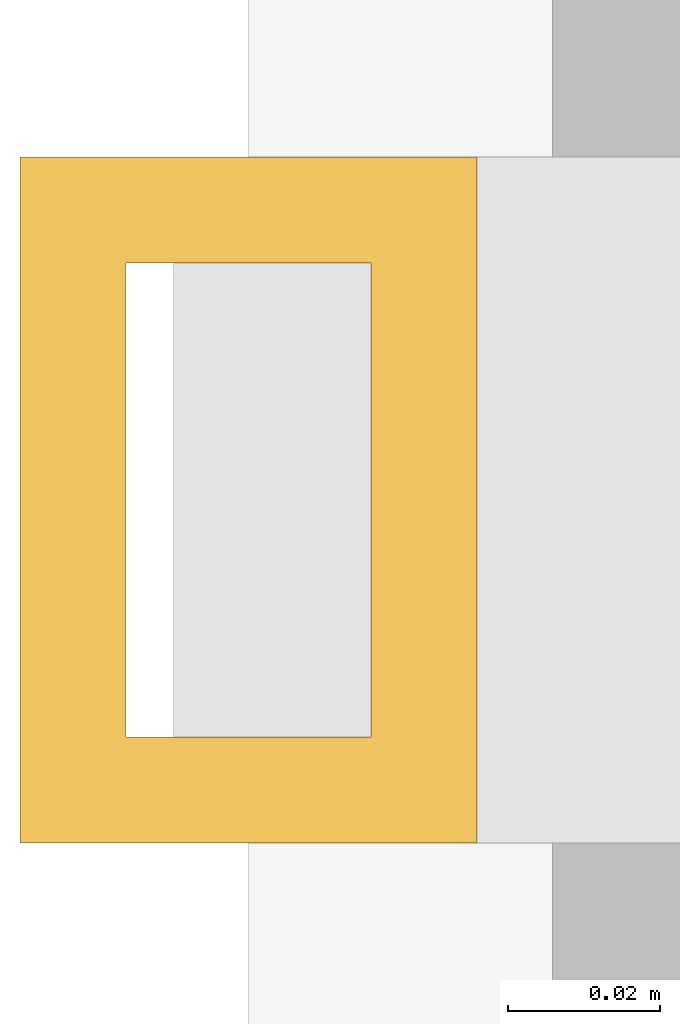
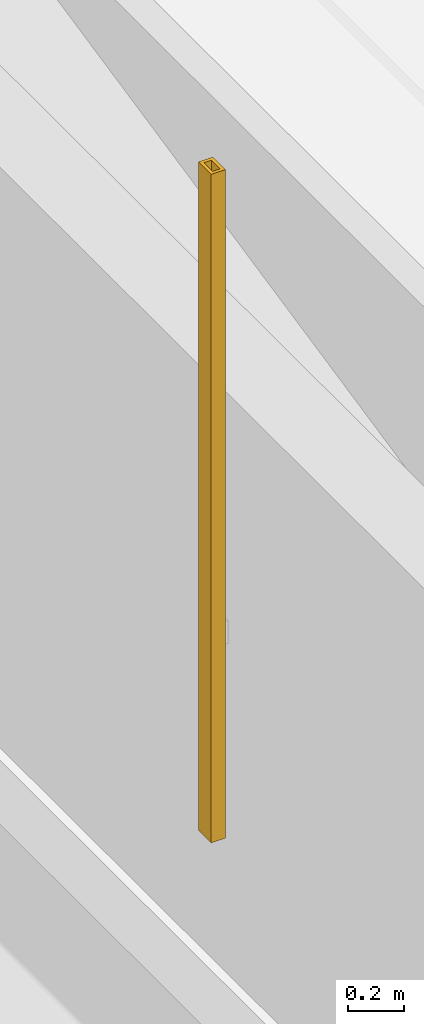
# One storey, part 20 of 32: 1 shading device.
"""IFC4 building model written with IfcOpenShell, lengths in metres."""

from ifc_helpers import new_model, si_unit, direction, frame, origin, origin_2d, place, context, subcontext, project, spatial, hollow_rectangle, extrude, material, material_profile, profile_set, type_object, element, save


model = new_model("IFC4")

# Units and contexts
model_context = context("Model", 3, precision=1e-05, world=origin(), true_north=direction((0.0, 1.0)))
body_context = subcontext(model_context, "Body", "Model", "MODEL_VIEW")
ifc_project = project(units=[si_unit("LENGTHUNIT", "METRE"), si_unit("AREAUNIT", "SQUARE_METRE"), si_unit("VOLUMEUNIT", "CUBIC_METRE"), si_unit("PLANEANGLEUNIT", "RADIAN"), si_unit("MASSUNIT", "GRAM", prefix="KILO")], contexts=[model_context])

# Site, building, storey
site_placement = place(None, origin())
site = spatial("IfcSite", under=ifc_project, at=site_placement, CompositionType="ELEMENT")
building_placement = place(site_placement, origin())
building = spatial("IfcBuilding", under=site, at=building_placement, Name="Punatoya Terracotta Tower", CompositionType="ELEMENT")
storey_placement = place(building_placement, frame((0.0, 0.0, 139.800048828125)))
storey = spatial("IfcBuildingStorey", under=building, at=storey_placement, Name="L32", CompositionType="ELEMENT", Elevation=139.800048828125)

# Shading device
ifc_material = material(Name="Architectural Fired Terracotta", Category="masonry")
ifc_material_profile = material_profile(ifc_material, hollow_rectangle(XDim=0.06005859375, YDim=0.090087890625, WallThickness=0.013916015625, at=origin_2d()))
ifc_profile_set = profile_set([ifc_material_profile], Name="Architectural Fired Terracotta")
shading_device_type = type_object("IfcShadingDeviceType", Name="SHD-JALI-90", PredefinedType="JALOUSIE", material=ifc_profile_set)
shading_device_placement = place(storey_placement, frame((-25.050048828125, -9.093505859375, 0.599853515625), z_axis=(0.0, 0.0, 1.0), x_axis=(1.0, 0.0, 0.0)))
element("IfcShadingDevice", 1, at=shading_device_placement, inside=storey, type_object=shading_device_type, Name="L32 Braced Bay Terracotta Jali Fin W2", PredefinedType="JALOUSIE", context=body_context, shape_type="SweptSolid", body=[
    extrude(hollow_rectangle(XDim=0.06005859375, YDim=0.090087890625, WallThickness=0.013916015625, at=origin_2d()), origin(), (0.0, 0.0, 1.0), 2.93017578125),
])

save(model, "model.ifc")
